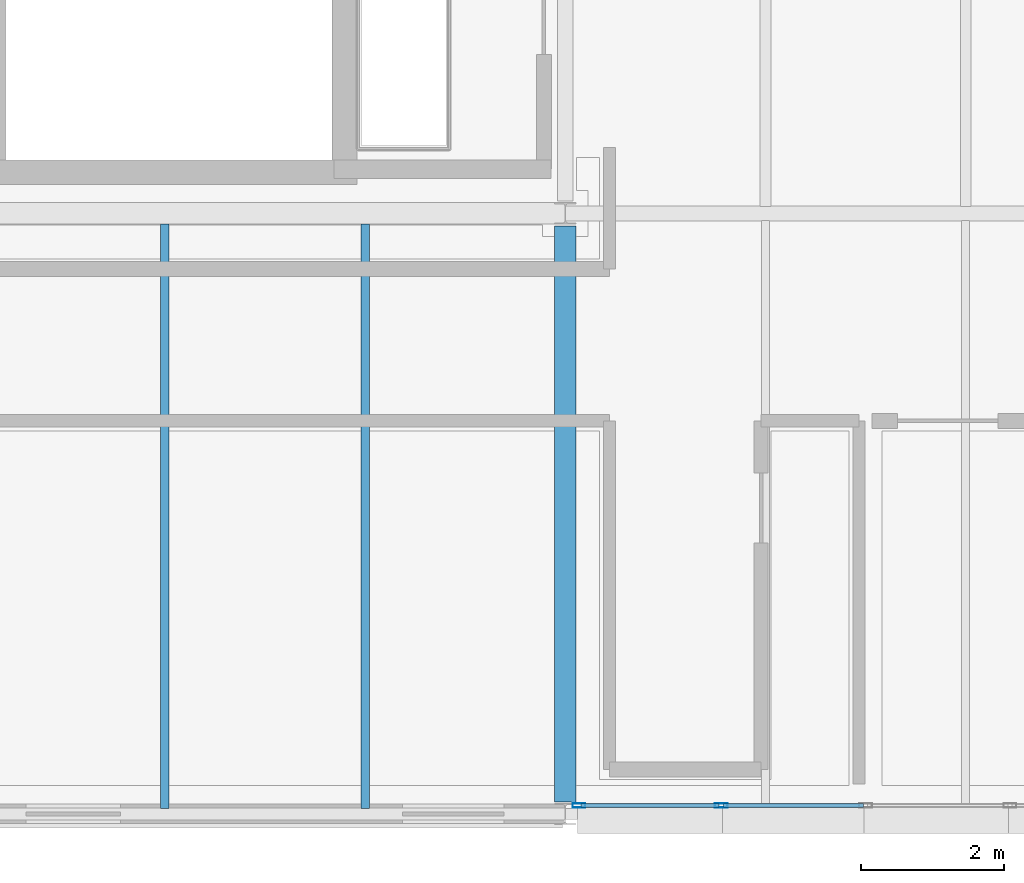
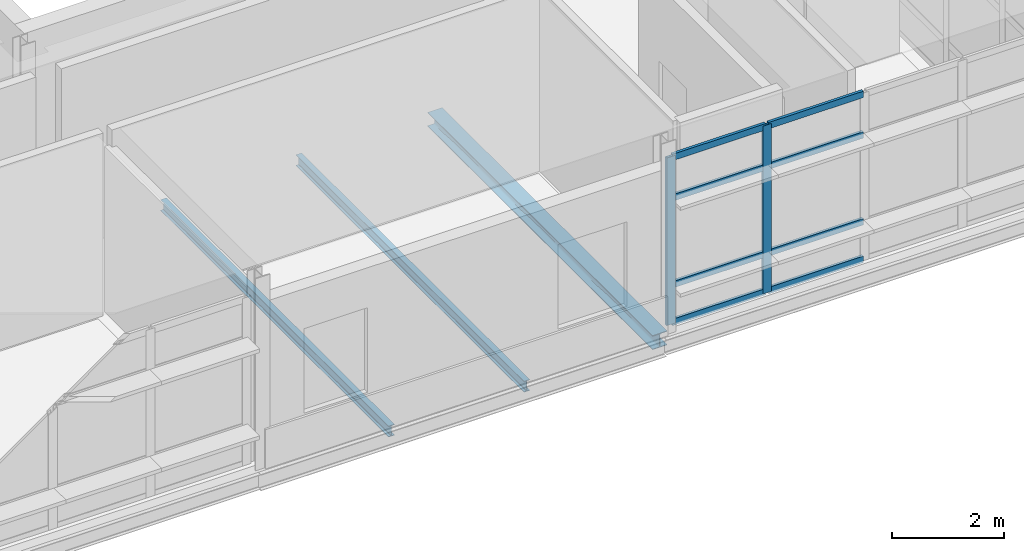
# One storey, part 19 of 35: 10 members, 3 beams, 1 element without a shape of its own.
"""IFC4 building model written with IfcOpenShell, lengths in metres."""

from ifc_helpers import new_model, si_unit, direction, frame, origin, origin_2d, place, context, subcontext, project, spatial, hollow_rectangle, i_section, extrude, material, material_profile, profile_set, type_object, element, aggregate, save


model = new_model("IFC4")

# Units and contexts
model_context = context("Model", 3, precision=1e-05, world=origin(), true_north=direction((0.0, 1.0)))
body_context = subcontext(model_context, "Body", "Model", "MODEL_VIEW")
ifc_project = project(units=[si_unit("LENGTHUNIT", "METRE"), si_unit("AREAUNIT", "SQUARE_METRE"), si_unit("VOLUMEUNIT", "CUBIC_METRE"), si_unit("PLANEANGLEUNIT", "RADIAN"), si_unit("MASSUNIT", "GRAM", prefix="KILO")], contexts=[model_context])

# Site, building, storey
site_placement = place(None, origin())
site = spatial("IfcSite", under=ifc_project, at=site_placement, CompositionType="ELEMENT")
building_placement = place(site_placement, origin())
building = spatial("IfcBuilding", under=site, at=building_placement, Name="Mersafa Astral City Hall", CompositionType="ELEMENT")
storey_placement = place(building_placement, frame((0.0, 0.0, 30.14990234375)))
storey = spatial("IfcBuildingStorey", under=building, at=storey_placement, Name="L07", CompositionType="ELEMENT", Elevation=30.14990234375)

# Curtain wall, members
ifc_material_1 = material(Name="Anodised bronze aluminium framing", Category="aluminium")
curtain_wall_type = type_object("IfcCurtainWallType", Name="ENV-CW-6", PredefinedType="USERDEFINED", material=ifc_material_1)
curtain_wall_placement = place(storey_placement, origin())
curtain_wall = element("IfcCurtainWall", 1, at=curtain_wall_placement, inside=storey, type_object=curtain_wall_type, Name="L07 Unitised solar curtain wall 269", ObjectType="UNITISED CURTAIN WALL", PredefinedType="USERDEFINED")
ifc_material_profile_1 = material_profile(ifc_material_1, hollow_rectangle(XDim=0.06005859375, YDim=0.179931640625, WallThickness=0.00390625, at=origin_2d()), Name="RHS 60x180x4")
ifc_profile_set_1 = profile_set([ifc_material_profile_1], Name="Anodised bronze aluminium framing")
member_type_1 = type_object("IfcMemberType", Name="ENV-CW-MUL-1", PredefinedType="MULLION", material=ifc_profile_set_1)
member_1_placement = place(storey_placement, frame((159.7919921875, 100.919921875, -0.001953125), z_axis=(0.0, 0.0, 1.0), x_axis=(0.0, 1.0, 0.0)))
member_1 = element("IfcMember", 2, at=member_1_placement, type_object=member_type_1, Name="CW-6 mullion 1", PredefinedType="MULLION", context=body_context, shape_type="SweptSolid", body=[
    extrude(hollow_rectangle(XDim=0.06005859375, YDim=0.179931640625, WallThickness=0.00390625, at=origin_2d()), origin(), (0.0, 0.0, 1.0), 3.6689453125),
])
member_2_placement = place(storey_placement, frame((161.781005859375, 100.919921875, -0.001953125), z_axis=(0.0, 0.0, 1.0), x_axis=(0.0, 1.0, 0.0)))
member_2 = element("IfcMember", 3, at=member_2_placement, type_object=member_type_1, Name="CW-6 mullion 2", PredefinedType="MULLION", context=body_context, shape_type="SweptSolid", body=[
    extrude(hollow_rectangle(XDim=0.06005859375, YDim=0.179931640625, WallThickness=0.00390625, at=origin_2d()), origin(), (0.0, 0.0, 1.0), 3.6689453125),
])
ifc_material_profile_2 = material_profile(ifc_material_1, hollow_rectangle(XDim=0.06005859375, YDim=0.139892578125, WallThickness=0.00390625, at=origin_2d()), Name="RHS 60x140x4")
ifc_profile_set_2 = profile_set([ifc_material_profile_2], Name="Anodised bronze aluminium framing")
member_type_2 = type_object("IfcMemberType", Name="ENV-CW-TRN-1", PredefinedType="USERDEFINED", material=ifc_profile_set_2)
member_3_placement = place(storey_placement, frame((159.822021484375, 100.919921875, 0.028076171875), z_axis=(1.0, 0.0, 0.0), x_axis=(0.0, 1.0, 0.0)))
member_3 = element("IfcMember", 4, at=member_3_placement, type_object=member_type_2, Name="CW-6 transom 1.1", ObjectType="TRANSOM", PredefinedType="USERDEFINED", context=body_context, shape_type="SweptSolid", body=[
    extrude(hollow_rectangle(XDim=0.06005859375, YDim=0.139892578125, WallThickness=0.00390625, at=origin_2d()), origin(), (0.0, 0.0, 1.0), 1.928955078125),
])
member_4_placement = place(storey_placement, frame((159.822021484375, 100.919921875, 0.85009765625), z_axis=(1.0, 0.0, 0.0), x_axis=(0.0, 1.0, 0.0)))
member_4 = element("IfcMember", 5, at=member_4_placement, type_object=member_type_2, Name="CW-6 transom 1.2", ObjectType="TRANSOM", PredefinedType="USERDEFINED", context=body_context, shape_type="SweptSolid", body=[
    extrude(hollow_rectangle(XDim=0.06005859375, YDim=0.139892578125, WallThickness=0.00390625, at=origin_2d()), origin(), (0.0, 0.0, 1.0), 1.928955078125),
])
member_5_placement = place(storey_placement, frame((159.822021484375, 100.919921875, 2.75), z_axis=(1.0, 0.0, 0.0), x_axis=(0.0, 1.0, 0.0)))
member_5 = element("IfcMember", 6, at=member_5_placement, type_object=member_type_2, Name="CW-6 transom 1.3", ObjectType="TRANSOM", PredefinedType="USERDEFINED", context=body_context, shape_type="SweptSolid", body=[
    extrude(hollow_rectangle(XDim=0.06005859375, YDim=0.139892578125, WallThickness=0.00390625, at=origin_2d()), origin(), (0.0, 0.0, 1.0), 1.928955078125),
])
member_6_placement = place(storey_placement, frame((159.822021484375, 100.919921875, 3.63720703125), z_axis=(1.0, 0.0, 0.0), x_axis=(0.0, 1.0, 0.0)))
member_6 = element("IfcMember", 7, at=member_6_placement, type_object=member_type_2, Name="CW-6 transom 1.4", ObjectType="TRANSOM", PredefinedType="USERDEFINED", context=body_context, shape_type="SweptSolid", body=[
    extrude(hollow_rectangle(XDim=0.06005859375, YDim=0.139892578125, WallThickness=0.00390625, at=origin_2d()), origin(), (0.0, 0.0, 1.0), 1.928955078125),
])
member_7_placement = place(storey_placement, frame((161.81103515625, 100.919921875, 0.028076171875), z_axis=(1.0, 0.0, 0.0), x_axis=(0.0, 1.0, 0.0)))
member_7 = element("IfcMember", 8, at=member_7_placement, type_object=member_type_2, Name="CW-6 transom 2.1", ObjectType="TRANSOM", PredefinedType="USERDEFINED", context=body_context, shape_type="SweptSolid", body=[
    extrude(hollow_rectangle(XDim=0.06005859375, YDim=0.139892578125, WallThickness=0.00390625, at=origin_2d()), origin(), (0.0, 0.0, 1.0), 1.958984375),
])
member_8_placement = place(storey_placement, frame((161.81103515625, 100.919921875, 0.85009765625), z_axis=(1.0, 0.0, 0.0), x_axis=(0.0, 1.0, 0.0)))
member_8 = element("IfcMember", 9, at=member_8_placement, type_object=member_type_2, Name="CW-6 transom 2.2", ObjectType="TRANSOM", PredefinedType="USERDEFINED", context=body_context, shape_type="SweptSolid", body=[
    extrude(hollow_rectangle(XDim=0.06005859375, YDim=0.139892578125, WallThickness=0.00390625, at=origin_2d()), origin(), (0.0, 0.0, 1.0), 1.958984375),
])
member_9_placement = place(storey_placement, frame((161.81103515625, 100.919921875, 2.75), z_axis=(1.0, 0.0, 0.0), x_axis=(0.0, 1.0, 0.0)))
member_9 = element("IfcMember", 10, at=member_9_placement, type_object=member_type_2, Name="CW-6 transom 2.3", ObjectType="TRANSOM", PredefinedType="USERDEFINED", context=body_context, shape_type="SweptSolid", body=[
    extrude(hollow_rectangle(XDim=0.06005859375, YDim=0.139892578125, WallThickness=0.00390625, at=origin_2d()), origin(), (0.0, 0.0, 1.0), 1.958984375),
])
member_10_placement = place(storey_placement, frame((161.81103515625, 100.919921875, 3.63720703125), z_axis=(1.0, 0.0, 0.0), x_axis=(0.0, 1.0, 0.0)))
member_10 = element("IfcMember", 11, at=member_10_placement, type_object=member_type_2, Name="CW-6 transom 2.4", ObjectType="TRANSOM", PredefinedType="USERDEFINED", context=body_context, shape_type="SweptSolid", body=[
    extrude(hollow_rectangle(XDim=0.06005859375, YDim=0.139892578125, WallThickness=0.00390625, at=origin_2d()), origin(), (0.0, 0.0, 1.0), 1.958984375),
])
aggregate(curtain_wall, [member_1, member_2, member_3, member_4, member_5, member_6, member_7, member_8, member_9, member_10])

# Beams
ifc_material_2 = material(Name="Steel S355", Category="steel")
ifc_material_profile_3 = material_profile(ifc_material_2, i_section(OverallWidth=0.300048828125, OverallDepth=0.31005859375, WebThickness=0.009033203125, FlangeThickness=0.015380859375, FilletRadius=0.027099609375, at=origin_2d()), Name="HEA 320")
ifc_profile_set_3 = profile_set([ifc_material_profile_3], Name="Steel S355")
beam_type_1 = type_object("IfcBeamType", Name="STR-BM-HEA320", PredefinedType="BEAM", material=ifc_profile_set_3)
beam_placement = place(storey_placement, frame((159.60009765625, 100.965087890625, -0.329833984375), z_axis=(0.0, 1.0, 0.0), x_axis=(-1.0, 0.0, 0.0)))
element("IfcBeam", 12, at=beam_placement, inside=storey, type_object=beam_type_1, Name="L07 Primary girder Y 19-12", PredefinedType="BEAM", context=body_context, shape_type="SweptSolid", body=[
    extrude(i_section(OverallWidth=0.300048828125, OverallDepth=0.31005859375, WebThickness=0.009033203125, FlangeThickness=0.015380859375, FilletRadius=0.027099609375, at=origin_2d()), origin(), (0.0, 0.0, 1.0), 8.059814453125),
])
ifc_material_profile_4 = material_profile(ifc_material_2, i_section(OverallWidth=0.1201171875, OverallDepth=0.239990234375, WebThickness=0.006103515625, FlangeThickness=0.009765625, FilletRadius=0.014892578125, at=origin_2d()), Name="IPE 240")
ifc_profile_set_4 = profile_set([ifc_material_profile_4], Name="Steel S355")
beam_type_2 = type_object("IfcBeamType", Name="STR-BM-JOIST-IPE240", PredefinedType="JOIST", material=ifc_profile_set_4)
for number, where, z_axis, x_axis, name in (
    (13, (154.0, 100.8798828125, -0.294921875), (0.0, 1.0, 0.0), (-1.0, 0.0, 0.0), "L07 Composite secondary floor joist 910"),
    (14, (156.800048828125, 100.8798828125, -0.294921875), (0.0, 1.0, 0.0), (-1.0, 0.0, 0.0), "L07 Composite secondary floor joist 911"),
):
    element("IfcBeam", number, at=place(storey_placement, frame(where, z_axis=z_axis, x_axis=x_axis)), inside=storey, type_object=beam_type_2, Name=name, PredefinedType="JOIST", context=body_context, shape_type="SweptSolid", body=[
        extrude(i_section(OverallWidth=0.1201171875, OverallDepth=0.239990234375, WebThickness=0.006103515625, FlangeThickness=0.009765625, FilletRadius=0.014892578125, at=origin_2d()), origin(), (0.0, 0.0, 1.0), 8.175048828125),
    ])

save(model, "model.ifc")
